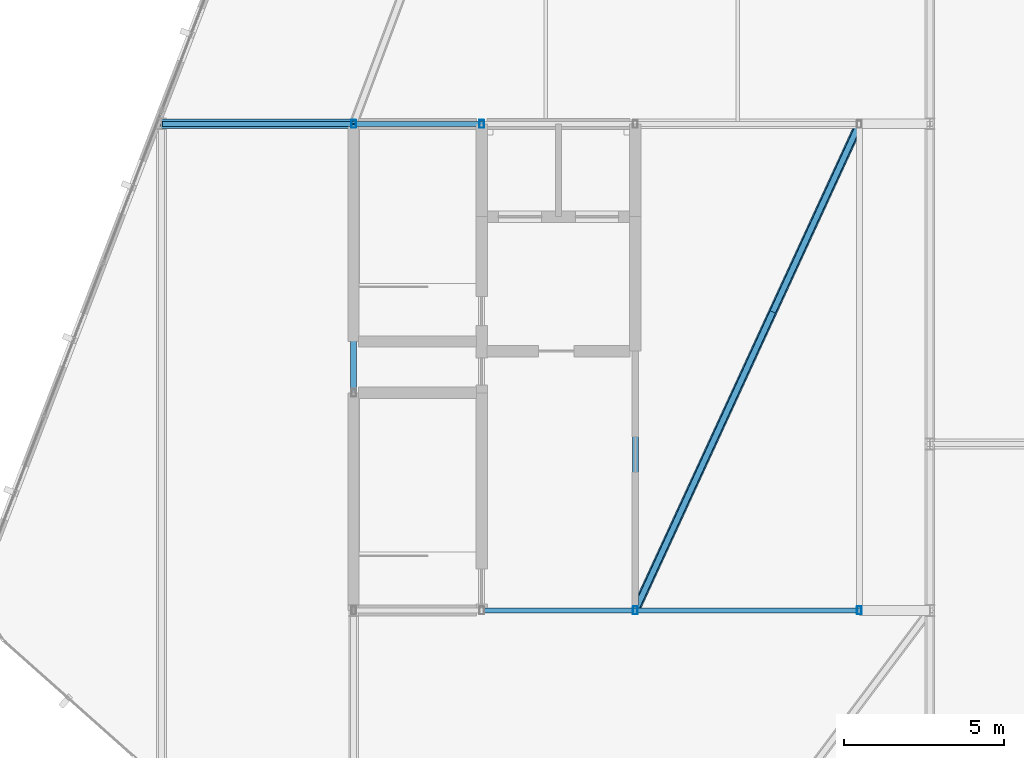
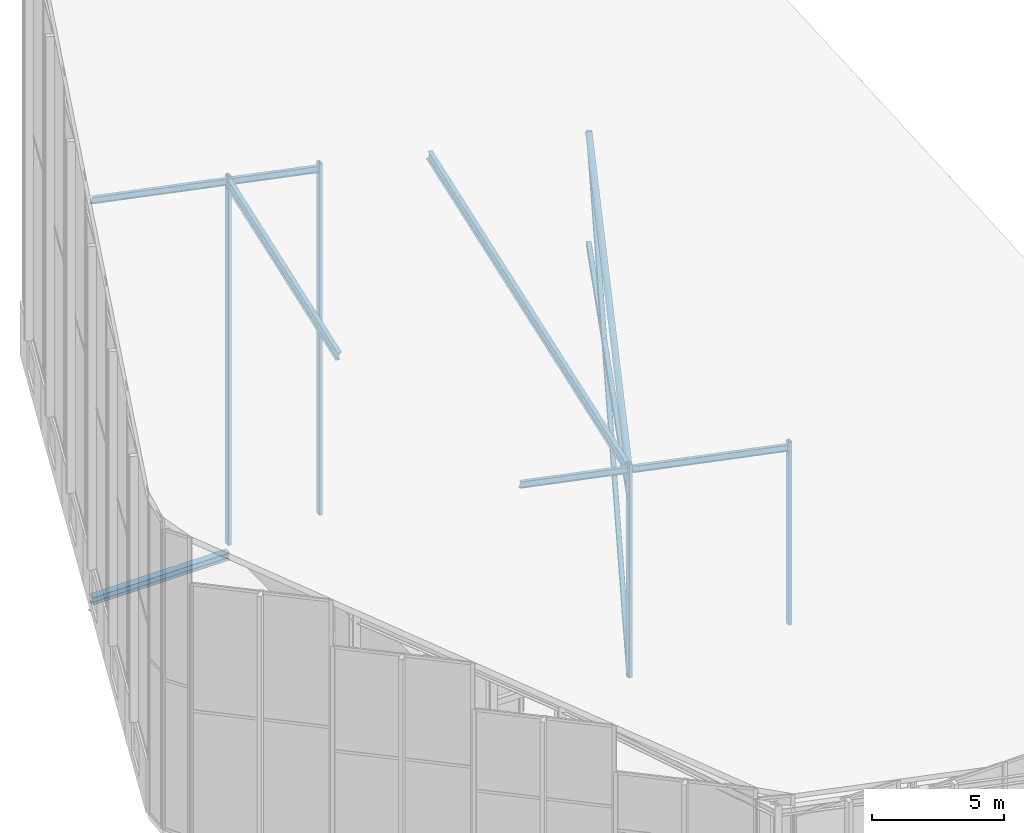
# One storey, part 18 of 74: 13 members, 1 beam.
"""IFC4 building model written with IfcOpenShell, lengths in metres."""

import ifcopenshell
import ifcopenshell.guid

model = None  # the IFC model being written
_history = None  # IfcOwnerHistory: only IFC2X3 demands one
_inside = {}  # id of a spatial element -> (the spatial element, [elements in it])
_under = {}  # id of a project, library or spatial element -> (it, [spatial elements below it])
_declared = {}  # id of a project -> (the project, [libraries it declares])
_typed = {}  # id of a type object -> (the type object, [elements of that type])
_made_of = {}  # id of a material, layer set ... -> (it, [elements and type objects made of it])


def new_model(schema):
    """Start an empty IFC model of exactly this schema.

    Asked for "IFC4X3", IfcOpenShell would pick the latest addendum, in which some entities
    have other attributes; the version numbers below select the first issue.
    IFC2X3 requires an IfcOwnerHistory on every rooted entity: one is made here for all.
    """
    global model, _history
    if schema == "IFC4X3":
        model = ifcopenshell.file(schema_version=(4, 3, 0, 0))
    else:
        model = ifcopenshell.file(schema=schema)
    _inside.clear()
    _under.clear()
    _declared.clear()
    _typed.clear()
    _made_of.clear()
    _history = None
    if model.schema == "IFC2X3":
        org = make("IfcOrganization", Name="unknown")
        user = make(
            "IfcPersonAndOrganization",
            ThePerson=make("IfcPerson", FamilyName="unknown"),
            TheOrganization=org,
        )
        app = make(
            "IfcApplication",
            ApplicationDeveloper=org,
            Version="unknown",
            ApplicationFullName="unknown",
            ApplicationIdentifier="unknown",
        )
        _history = make(
            "IfcOwnerHistory",
            OwningUser=user,
            OwningApplication=app,
            ChangeAction="ADDED",
            CreationDate=0,
        )
    return model


def make(cls, **values):
    """One entity of the class cls with the attributes given. An attribute that is None is left unset."""
    return model.create_entity(
        cls, **{name: value for name, value in values.items() if value is not None}
    )


def rooted(cls, **values):
    """An entity with a GlobalId (a new one), such as an element, a storey or a relation."""
    return make(cls, GlobalId=ifcopenshell.guid.new(), OwnerHistory=_history, **values)


def si_unit(unit_type, name, prefix=None):
    """IfcSIUnit, for example si_unit("LENGTHUNIT", "METRE", prefix="MILLI")."""
    return make("IfcSIUnit", UnitType=unit_type, Prefix=prefix, Name=name)


def assignment(units):
    """IfcUnitAssignment: the units of a project."""
    return None if units is None else make("IfcUnitAssignment", Units=units)


def point(xyz):
    """IfcCartesianPoint."""
    return None if xyz is None else make("IfcCartesianPoint", Coordinates=xyz)


def direction(xyz):
    """IfcDirection."""
    return None if xyz is None else make("IfcDirection", DirectionRatios=xyz)


def frame(location, z_axis=None, x_axis=None):
    """IfcAxis2Placement3D, a coordinate frame: its origin and axes. An axis left out is left unset."""
    return make(
        "IfcAxis2Placement3D",
        Location=point(location),
        Axis=direction(z_axis),
        RefDirection=direction(x_axis),
    )


def frame_2d(location, x_axis=None):
    """IfcAxis2Placement2D, a coordinate frame in the plane: its origin and x axis."""
    return make(
        "IfcAxis2Placement2D", Location=point(location), RefDirection=direction(x_axis)
    )


def origin():
    """The frame at (0, 0, 0) with its axes left unset."""
    return frame((0.0, 0.0, 0.0))


def origin_2d():
    """The frame at (0, 0) in the plane with its x axis left unset."""
    return frame_2d((0.0, 0.0))


def place(relative_to, where):
    """IfcLocalPlacement: puts the frame where relative to a parent placement (None: the world)."""
    return make(
        "IfcLocalPlacement", PlacementRelTo=relative_to, RelativePlacement=where
    )


def context(
    kind, dimensions, precision=None, world=None, true_north=None, identifier=None
):
    """IfcGeometricRepresentationContext, for example the 3D "Model" context."""
    return make(
        "IfcGeometricRepresentationContext",
        ContextIdentifier=identifier,
        ContextType=kind,
        CoordinateSpaceDimension=dimensions,
        Precision=precision,
        WorldCoordinateSystem=world,
        TrueNorth=true_north,
    )


def subcontext(parent, identifier, kind, view, scale=None):
    """IfcGeometricRepresentationSubContext, for example "Body" below "Model"."""
    return make(
        "IfcGeometricRepresentationSubContext",
        ContextIdentifier=identifier,
        ContextType=kind,
        ParentContext=parent,
        TargetScale=scale,
        TargetView=view,
    )


def project(units=None, contexts=None):
    """IfcProject with its units and contexts."""
    return rooted(
        "IfcProject",
        Name="project",
        RepresentationContexts=contexts,
        UnitsInContext=assignment(units),
    )


def spatial(cls, under=None, at=None, **own):
    """A site, building, storey or space (cls), placed at a placement, below another one or the project."""
    s = rooted(cls, ObjectPlacement=at, **own)
    if under is not None:
        _under.setdefault(under.id(), (under, []))[1].append(s)
    return s


def profile(cls, at=None, kind="AREA", **sizes):
    """A parametric profile (cls). Its sizes go by their IFC names, for example OverallWidth=200.0."""
    return make(cls, ProfileType=kind, Position=at, **sizes)


def hollow_rectangle(**sizes):
    """IfcRectangleHollowProfileDef."""
    return profile("IfcRectangleHollowProfileDef", **sizes)


def hollow_circle(**sizes):
    """IfcCircleHollowProfileDef."""
    return profile("IfcCircleHollowProfileDef", **sizes)


def i_section(**sizes):
    """IfcIShapeProfileDef."""
    return profile("IfcIShapeProfileDef", **sizes)


def extrude(swept, where, along, depth):
    """IfcExtrudedAreaSolid: the profile swept, set in the frame where, extruded along a direction by depth."""
    return make(
        "IfcExtrudedAreaSolid",
        SweptArea=swept,
        Position=where,
        ExtrudedDirection=direction(along),
        Depth=depth,
    )


def shape(context_of_items, identifier, shape_type, items):
    """IfcShapeRepresentation: the items that make up one representation, for example the "Body"."""
    return make(
        "IfcShapeRepresentation",
        ContextOfItems=context_of_items,
        RepresentationIdentifier=identifier,
        RepresentationType=shape_type,
        Items=items,
    )


def material(Name=None, Category=None):
    """IfcMaterial."""
    return make("IfcMaterial", Name=Name, Category=Category)


def material_profile(
    of_material, cross_section, Name=None, Category=None, Priority=None
):
    """IfcMaterialProfile: a cross section and its material."""
    return make(
        "IfcMaterialProfile",
        Name=Name,
        Material=of_material,
        Profile=cross_section,
        Priority=Priority,
        Category=Category,
    )


def profile_set(profiles, Name=None, composite=None):
    """IfcMaterialProfileSet."""
    return make(
        "IfcMaterialProfileSet",
        Name=Name,
        MaterialProfiles=profiles,
        CompositeProfile=composite,
    )


def made_of(thing, what):
    """Note that an element or type object is made of a material, layer set ...; save() writes the relation."""
    if what is not None:
        _made_of.setdefault(what.id(), (what, []))[1].append(thing)
    return thing


def type_object(cls, material=None, **own):
    """A type object (cls), such as IfcWallType, which elements share."""
    return made_of(rooted(cls, **own), material)


def element(
    cls,
    number,
    at=None,
    inside=None,
    cuts=None,
    type_object=None,
    material=None,
    context=None,
    identifier="Body",
    shape_type=None,
    held_by="IfcProductDefinitionShape",
    body=None,
    shapes=None,
    **own,
):
    """One element of the class cls, such as IfcWall. Its Tag is "e" and its number.

    at: its placement. inside: the storey or other place that contains it. cuts: it is an
    opening in that element (IfcRelVoidsElement). A single representation is given by context,
    identifier, shape_type and body (its items); several are given by shapes. held_by: the class
    of the entity that holds the representations. save() writes the other relations.
    """
    e = rooted(cls, Tag="e%d" % number, ObjectPlacement=at, **own)
    if body is not None:
        shapes = [shape(context, identifier, shape_type, body)]
    if shapes is not None:
        e.Representation = make(held_by, Representations=shapes)
    if inside is not None:
        _inside.setdefault(inside.id(), (inside, []))[1].append(e)
    if cuts is not None:
        rooted(
            "IfcRelVoidsElement", RelatingBuildingElement=cuts, RelatedOpeningElement=e
        )
    if type_object is not None:
        _typed.setdefault(type_object.id(), (type_object, []))[1].append(e)
    return made_of(e, material)


def aggregate(whole, parts):
    """IfcRelAggregates: a whole, such as a stair, and the parts it consists of."""
    return rooted("IfcRelAggregates", RelatingObject=whole, RelatedObjects=parts)


def save(model, path):
    """Write the relations noted so far, then the file.

    IfcRelAggregates (storeys below a building ...), IfcRelContainedInSpatialStructure (elements
    in a storey), IfcRelDefinesByType, IfcRelAssociatesMaterial and IfcRelDeclares: one each for
    every whole, place, type object, material and project.
    """
    for whole, parts in _under.values():
        aggregate(whole, parts)
    for where, things in _inside.values():
        rooted(
            "IfcRelContainedInSpatialStructure",
            RelatedElements=things,
            RelatingStructure=where,
        )
    for kind, things in _typed.values():
        rooted("IfcRelDefinesByType", RelatedObjects=things, RelatingType=kind)
    for what, things in _made_of.values():
        rooted("IfcRelAssociatesMaterial", RelatedObjects=things, RelatingMaterial=what)
    for by, libraries in _declared.values():
        rooted("IfcRelDeclares", RelatingContext=by, RelatedDefinitions=libraries)
    model.write(path)


model = new_model("IFC4")

# Units and contexts
model_context = context("Model", 3, precision=1e-05, world=origin(), true_north=direction((0.0, 1.0)))
body_context = subcontext(model_context, "Body", "Model", "MODEL_VIEW")
ifc_project = project(units=[si_unit("LENGTHUNIT", "METRE"), si_unit("AREAUNIT", "SQUARE_METRE"), si_unit("VOLUMEUNIT", "CUBIC_METRE"), si_unit("PLANEANGLEUNIT", "RADIAN"), si_unit("MASSUNIT", "GRAM", prefix="KILO")], contexts=[model_context])

# Site, building, storey
site_placement = place(None, origin())
site = spatial("IfcSite", under=ifc_project, at=site_placement, CompositionType="ELEMENT")
building_placement = place(site_placement, origin())
building = spatial("IfcBuilding", under=site, at=building_placement, Name="Keshet Zoharim Tower", CompositionType="ELEMENT")
storey_placement = place(building_placement, frame((0.0, 0.0, 320.0)))
storey = spatial("IfcBuildingStorey", under=building, at=storey_placement, Name="RF", CompositionType="ELEMENT", Elevation=320.0)

# Beam
ifc_material = material(Name="Steel S355", Category="steel")
ifc_material_profile_1 = material_profile(ifc_material, i_section(OverallWidth=0.300048828125, OverallDepth=0.35009765625, WebThickness=0.010009765625, FlangeThickness=0.017578125, FilletRadius=0.027099609375, at=origin_2d()), Name="HEA360")
ifc_profile_set_1 = profile_set([ifc_material_profile_1], Name="Steel S355")
beam_type = type_object("IfcBeamType", Name="BM-PRI-HA360", PredefinedType="BEAM", material=ifc_profile_set_1)
beam_placement = place(storey_placement, frame((9.0, 37.89990234375, -0.485107421875), z_axis=(1.0, 0.0, 0.0), x_axis=(0.0, 1.0, 0.0)))
element("IfcBeam", 1, at=beam_placement, inside=storey, type_object=beam_type, Name="RF Primary Girder X-009", PredefinedType="BEAM", context=body_context, shape_type="SweptSolid", body=[
    extrude(i_section(OverallWidth=0.300048828125, OverallDepth=0.35009765625, WebThickness=0.010009765625, FlangeThickness=0.017578125, FilletRadius=0.027099609375, at=origin_2d()), origin(), (0.0, 0.0, 1.0), 6.0),
])

# Members
ifc_material_profile_2 = material_profile(ifc_material, hollow_rectangle(XDim=0.199951171875, YDim=0.300048828125, WallThickness=0.012451171875, InnerFilletRadius=0.011962890625, OuterFilletRadius=0.01904296875, at=origin_2d()), Name="RHS300x200x12.5")
ifc_profile_set_2 = profile_set([ifc_material_profile_2], Name="Steel S355")
member_type_1 = type_object("IfcMemberType", Name="MB-COL-R300", PredefinedType="COLLAR", material=ifc_profile_set_2)
member_1_placement = place(storey_placement, frame((23.800048828125, 22.699951171875, 8.350830078125), z_axis=(0.418301244373, 0.908308355657, 0.0), x_axis=(-0.908308355657, 0.418301244373, 0.0)))
element("IfcMember", 2, at=member_1_placement, inside=storey, type_object=member_type_1, Name="Crown Frame Collar Tie 05", PredefinedType="COLLAR", context=body_context, shape_type="SweptSolid", body=[
    extrude(hollow_rectangle(XDim=0.199951171875, YDim=0.300048828125, WallThickness=0.012451171875, InnerFilletRadius=0.011962890625, OuterFilletRadius=0.01904296875, at=origin_2d()), origin(), (0.0, 0.0, 1.0), 16.734375),
])
ifc_material_profile_3 = material_profile(ifc_material, hollow_circle(Radius=0.136474609375, WallThickness=0.010009765625, at=origin_2d()), Name="CHS273x10")
ifc_profile_set_3 = profile_set([ifc_material_profile_3], Name="Steel S355")
member_type_2 = type_object("IfcMemberType", Name="MB-CRN-C273", PredefinedType="BRACE", material=ifc_profile_set_3)
member_2_placement = place(storey_placement, frame((23.800048828125, 22.699951171875, 9.55078125), z_axis=(0.406884518349, 0.883517830215, 0.232037135865), x_axis=(-0.908308355657, 0.418301244373, 0.0)))
element("IfcMember", 3, at=member_2_placement, inside=storey, type_object=member_type_2, Name="Crown Roof In-Plane Brace 05", PredefinedType="BRACE", context=body_context, shape_type="SweptSolid", body=[
    extrude(hollow_circle(Radius=0.136474609375, WallThickness=0.010009765625, at=origin_2d()), origin(), (0.0, 0.0, 1.0), 17.203857421875),
])
ifc_material_profile_4 = material_profile(ifc_material, hollow_rectangle(XDim=0.14990234375, YDim=0.25, WallThickness=0.010009765625, InnerFilletRadius=0.010009765625, OuterFilletRadius=0.014892578125, at=origin_2d()), Name="RHS250x150x10")
ifc_profile_set_4 = profile_set([ifc_material_profile_4], Name="Steel S355")
member_type_3 = type_object("IfcMemberType", Name="MB-PST-R250", PredefinedType="POST", material=ifc_profile_set_4)
member_3_placement = place(storey_placement, frame((15.0, 37.89990234375, 0.0), z_axis=(0.0, 0.0, 1.0), x_axis=(1.0, 0.0, 0.0)))
element("IfcMember", 4, at=member_3_placement, inside=storey, type_object=member_type_3, Name="Crown Core Bearing Post 03", PredefinedType="POST", context=body_context, shape_type="SweptSolid", body=[
    extrude(hollow_rectangle(XDim=0.14990234375, YDim=0.25, WallThickness=0.010009765625, InnerFilletRadius=0.010009765625, OuterFilletRadius=0.014892578125, at=origin_2d()), origin(), (0.0, 0.0, 1.0), 17.105224609375),
])
member_4_placement = place(storey_placement, frame((19.0, 37.89990234375, 0.0), z_axis=(0.0, 0.0, 1.0), x_axis=(1.0, 0.0, 0.0)))
element("IfcMember", 5, at=member_4_placement, inside=storey, type_object=member_type_3, Name="Crown Core Bearing Post 05", PredefinedType="POST", context=body_context, shape_type="SweptSolid", body=[
    extrude(hollow_rectangle(XDim=0.14990234375, YDim=0.25, WallThickness=0.010009765625, InnerFilletRadius=0.010009765625, OuterFilletRadius=0.014892578125, at=origin_2d()), origin(), (0.0, 0.0, 1.0), 16.289306640625),
])
member_5_placement = place(storey_placement, frame((23.800048828125, 22.699951171875, 0.0), z_axis=(0.0, 0.0, 1.0), x_axis=(1.0, 0.0, 0.0)))
element("IfcMember", 6, at=member_5_placement, inside=storey, type_object=member_type_3, Name="Crown Core Bearing Post 06", PredefinedType="POST", context=body_context, shape_type="SweptSolid", body=[
    extrude(hollow_rectangle(XDim=0.14990234375, YDim=0.25, WallThickness=0.010009765625, InnerFilletRadius=0.010009765625, OuterFilletRadius=0.014892578125, at=origin_2d()), origin(), (0.0, 0.0, 1.0), 9.890869140625),
])
member_6_placement = place(storey_placement, frame((30.800048828125, 22.699951171875, 0.0), z_axis=(0.0, 0.0, 1.0), x_axis=(1.0, 0.0, 0.0)))
element("IfcMember", 7, at=member_6_placement, inside=storey, type_object=member_type_3, Name="Crown Core Bearing Post 08", PredefinedType="POST", context=body_context, shape_type="SweptSolid", body=[
    extrude(hollow_rectangle(XDim=0.14990234375, YDim=0.25, WallThickness=0.010009765625, InnerFilletRadius=0.010009765625, OuterFilletRadius=0.014892578125, at=origin_2d()), origin(), (0.0, 0.0, 1.0), 8.463134765625),
])
ifc_material_profile_5 = material_profile(ifc_material, i_section(OverallWidth=0.14990234375, OverallDepth=0.300048828125, WebThickness=0.007080078125, FlangeThickness=0.0107421875, FilletRadius=0.014892578125, at=origin_2d()), Name="IPE300")
ifc_profile_set_5 = profile_set([ifc_material_profile_5], Name="Steel S355")
member_type_4 = type_object("IfcMemberType", Name="MB-PUR-IP300", PredefinedType="PURLIN", material=ifc_profile_set_5)
member_7_placement = place(storey_placement, frame((19.0, 22.699951171875, 10.56982421875), z_axis=(0.979827963548, 0.0, -0.199842842878), x_axis=(0.0, 1.0, 0.0)))
element("IfcMember", 8, at=member_7_placement, inside=storey, type_object=member_type_4, Name="Crown Roof Purlin 05", PredefinedType="PURLIN", context=body_context, shape_type="SweptSolid", body=[
    extrude(i_section(OverallWidth=0.14990234375, OverallDepth=0.300048828125, WebThickness=0.007080078125, FlangeThickness=0.0107421875, FilletRadius=0.014892578125, at=origin_2d()), origin(), (0.0, 0.0, 1.0), 4.89892578125),
])
member_8_placement = place(storey_placement, frame((23.800048828125, 22.699951171875, 9.5908203125), z_axis=(0.979827007837, 0.0, -0.199847528663), x_axis=(0.0, 1.0, 0.0)))
element("IfcMember", 9, at=member_8_placement, inside=storey, type_object=member_type_4, Name="Crown Roof Purlin 06", PredefinedType="PURLIN", context=body_context, shape_type="SweptSolid", body=[
    extrude(i_section(OverallWidth=0.14990234375, OverallDepth=0.300048828125, WebThickness=0.007080078125, FlangeThickness=0.0107421875, FilletRadius=0.014892578125, at=origin_2d()), origin(), (0.0, 0.0, 1.0), 7.14404296875),
])
member_9_placement = place(storey_placement, frame((9.0, 37.89990234375, 18.029052734375), z_axis=(0.979823661837, 0.0, -0.199863932975), x_axis=(0.0, 1.0, 0.0)))
element("IfcMember", 10, at=member_9_placement, inside=storey, type_object=member_type_4, Name="Crown Roof Purlin 08", PredefinedType="PURLIN", context=body_context, shape_type="SweptSolid", body=[
    extrude(i_section(OverallWidth=0.14990234375, OverallDepth=0.300048828125, WebThickness=0.007080078125, FlangeThickness=0.0107421875, FilletRadius=0.014892578125, at=origin_2d()), origin(), (0.0, 0.0, 1.0), 6.12353515625),
])
member_10_placement = place(storey_placement, frame((15.0, 37.89990234375, 16.80517578125), z_axis=(0.979835371736, 0.0, -0.199806517149), x_axis=(0.0, 1.0, 0.0)))
element("IfcMember", 11, at=member_10_placement, inside=storey, type_object=member_type_4, Name="Crown Roof Purlin 09", PredefinedType="PURLIN", context=body_context, shape_type="SweptSolid", body=[
    extrude(i_section(OverallWidth=0.14990234375, OverallDepth=0.300048828125, WebThickness=0.007080078125, FlangeThickness=0.0107421875, FilletRadius=0.014892578125, at=origin_2d()), origin(), (0.0, 0.0, 1.0), 4.082275390625),
])
ifc_material_profile_6 = material_profile(ifc_material, i_section(OverallWidth=0.18994140625, OverallDepth=0.449951171875, WebThickness=0.009521484375, FlangeThickness=0.0146484375, FilletRadius=0.02099609375, at=origin_2d()), Name="IPE450")
ifc_profile_set_6 = profile_set([ifc_material_profile_6], Name="Steel S355")
member_type_5 = type_object("IfcMemberType", Name="MB-RAF-IP450", PredefinedType="RAFTER", material=ifc_profile_set_6)
member_11_placement = place(storey_placement, frame((15.0, 29.5, 13.770263671875), z_axis=(0.0, 0.941922635065, 0.335829941416), x_axis=(-1.0, 0.0, 0.0)))
element("IfcMember", 12, at=member_11_placement, inside=storey, type_object=member_type_5, Name="Crown Raking Rafter 05", PredefinedType="RAFTER", context=body_context, shape_type="SweptSolid", body=[
    extrude(i_section(OverallWidth=0.18994140625, OverallDepth=0.449951171875, WebThickness=0.009521484375, FlangeThickness=0.0146484375, FilletRadius=0.02099609375, at=origin_2d()), origin(), (0.0, 0.0, 1.0), 8.917724609375),
])
member_12_placement = place(storey_placement, frame((23.800048828125, 22.699951171875, 9.55078125), z_axis=(0.0, 0.941916008273, 0.335848527404), x_axis=(-1.0, 0.0, 0.0)))
element("IfcMember", 13, at=member_12_placement, inside=storey, type_object=member_type_5, Name="Crown Raking Rafter 07", PredefinedType="RAFTER", context=body_context, shape_type="SweptSolid", body=[
    extrude(i_section(OverallWidth=0.18994140625, OverallDepth=0.449951171875, WebThickness=0.009521484375, FlangeThickness=0.0146484375, FilletRadius=0.02099609375, at=origin_2d()), origin(), (0.0, 0.0, 1.0), 16.13720703125),
])
ifc_material_profile_7 = material_profile(ifc_material, hollow_rectangle(XDim=0.199951171875, YDim=0.300048828125, WallThickness=0.012451171875, InnerFilletRadius=0.011962890625, OuterFilletRadius=0.01904296875, at=origin_2d()), Name="RHS300x200x12.5")
ifc_profile_set_7 = profile_set([ifc_material_profile_7], Name="Steel S355")
member_type_6 = type_object("IfcMemberType", Name="MB-STR-R300", PredefinedType="STRUT", material=ifc_profile_set_7)
member_13_placement = place(storey_placement, frame((23.800048828125, 22.699951171875, 0.0), z_axis=(0.325161750085, 0.706063246323, 0.629082290701), x_axis=(-0.908308355657, 0.418301244373, 0.0)))
element("IfcMember", 14, at=member_13_placement, inside=storey, type_object=member_type_6, Name="Crown Vertical Bracing Strut 05", PredefinedType="STRUT", context=body_context, shape_type="SweptSolid", body=[
    extrude(hollow_rectangle(XDim=0.199951171875, YDim=0.300048828125, WallThickness=0.012451171875, InnerFilletRadius=0.011962890625, OuterFilletRadius=0.01904296875, at=origin_2d()), origin(), (0.0, 0.0, 1.0), 21.52783203125),
])

save(model, "model.ifc")
